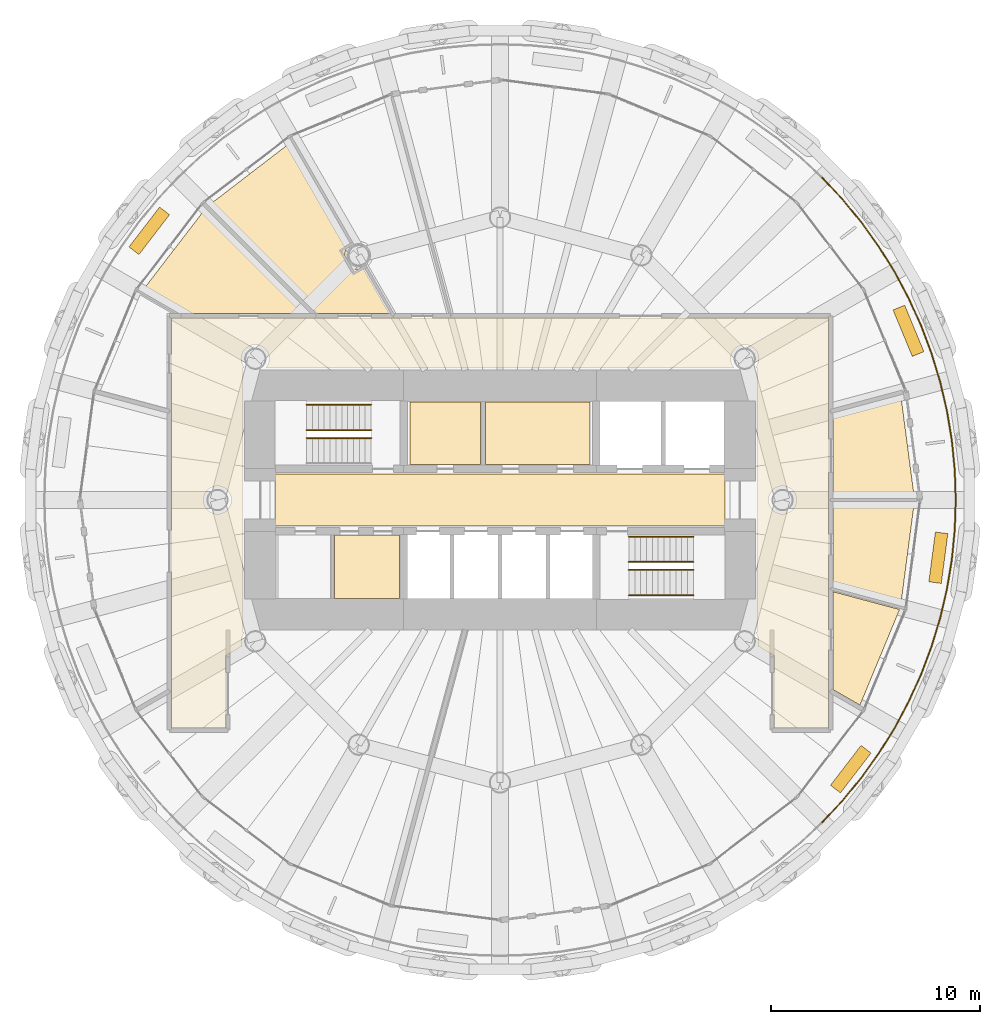
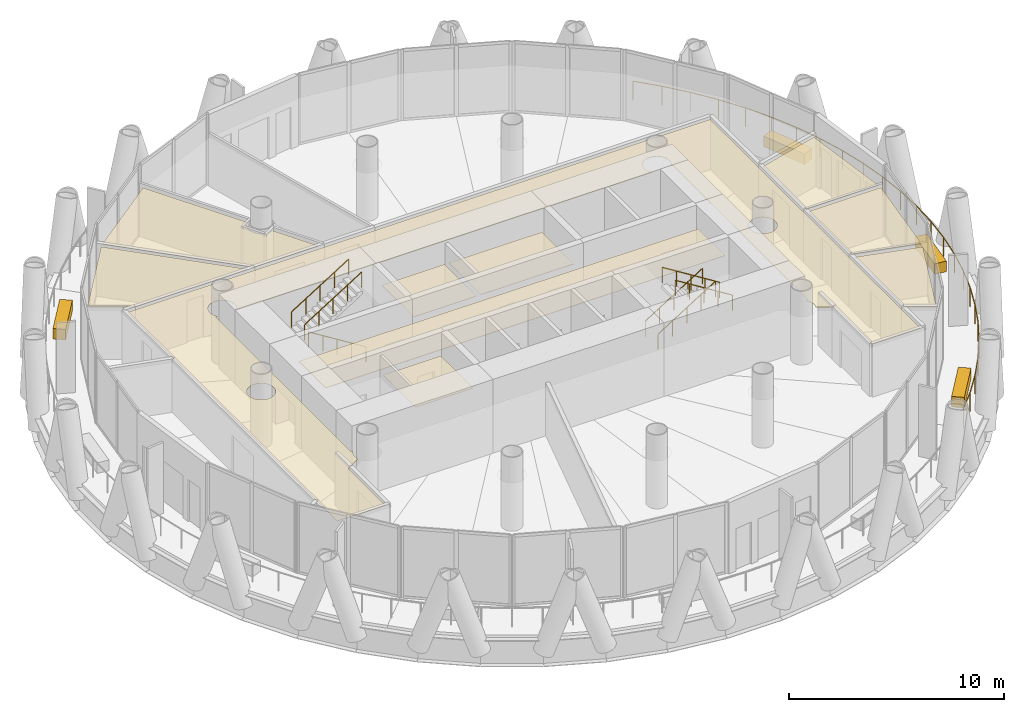
# One storey, part 14 of 15: 14 coverings, 8 railings.
"""IFC4 building model written with IfcOpenShell, lengths in metres."""

from ifc_helpers import new_model, si_unit, direction, frame, origin, origin_2d, place, context, subcontext, project, spatial, polyline, rectangle, circle, outline, extrude, material, layer, layer_set, type_object, element, save


model = new_model("IFC4")

# Units and contexts
model_context = context("Model", 3, precision=1e-05, world=origin(), true_north=direction((0.0, 1.0)))
body_context = subcontext(model_context, "Body", "Model", "MODEL_VIEW")
ifc_project = project(units=[si_unit("LENGTHUNIT", "METRE"), si_unit("AREAUNIT", "SQUARE_METRE"), si_unit("VOLUMEUNIT", "CUBIC_METRE"), si_unit("PLANEANGLEUNIT", "RADIAN"), si_unit("MASSUNIT", "GRAM", prefix="KILO")], contexts=[model_context])

# Site, building, storey
site_placement = place(None, origin())
site = spatial("IfcSite", under=ifc_project, at=site_placement, CompositionType="ELEMENT")
building_placement = place(site_placement, origin())
building = spatial("IfcBuilding", under=site, at=building_placement, Name="Qaws Media Tower", CompositionType="ELEMENT")
storey_placement = place(building_placement, frame((0.0, 0.0, 231.800048828125)))
storey = spatial("IfcBuildingStorey", under=building, at=storey_placement, Name="L53", CompositionType="ELEMENT", Elevation=231.800048828125)

# Covering
ifc_material_1 = material(Name="40 perforated acoustic panels with mineral wool backing, suspended", Category="mineral fibre")
ifc_layer_1 = layer(ifc_material_1, 0.0400390625)
ifc_layer_set_1 = layer_set([ifc_layer_1], Name="Acoustic panel ceiling 40")
covering_type_1 = type_object("IfcCoveringType", Name="Acoustic panel ceiling 40", PredefinedType="CEILING", material=ifc_layer_set_1)
covering_1_placement = place(storey_placement, frame((0.0, 0.0, 2.849853515625)))
element("IfcCovering", 1, at=covering_1_placement, inside=storey, type_object=covering_type_1, Name="CL3 ceiling L53-12 Meeting room", PredefinedType="CEILING", context=body_context, shape_type="SweptSolid", body=[
    extrude(outline(polyline([(79.14990234375, 44.985107421875), (75.91259765625, 45.852783203125), (75.91259765625, 49.887451171875), (79.79541015625, 49.887451171875), (79.14990234375, 44.985107421875)])), origin(), (0.0, 0.0, 1.0), 0.0400390625),
])

# Railing
ifc_material_2 = material(Name="Stainless steel and glass guard", Category="steel")
railing_type_1 = type_object("IfcRailingType", Name="Balcony guard 1100", PredefinedType="GUARDRAIL", material=ifc_material_2)
railing_1_placement = place(storey_placement, frame((75.397216796875, 34.602783203125, 0.0)))
element("IfcRailing", 2, at=railing_1_placement, inside=storey, type_object=railing_type_1, Name="GR1 balcony guard L53-4", PredefinedType="GUARDRAIL", context=body_context, shape_type="SweptSolid", body=[
    extrude(circle(Radius=0.02392578125, at=origin_2d()), frame((0.0, 0.0, 1.076171875), z_axis=(0.683599109941, 0.729857696328, 0.0), x_axis=(-0.729857696328, 0.683599109941, 0.0)), (0.0, 0.0, 1.0), 1.425048828125),
    extrude(circle(Radius=0.02392578125, at=origin_2d()), frame((0.97412109375, 1.0400390625, 1.076171875), z_axis=(0.63448726708, 0.772933314015, 0.0), x_axis=(-0.772933314015, 0.63448726708, 0.0)), (0.0, 0.0, 1.0), 1.4248046875),
    extrude(circle(Radius=0.02392578125, at=origin_2d()), frame((1.878173828125, 2.141357421875, 1.076171875), z_axis=(0.582420824871, 0.812887435477, 0.0), x_axis=(-0.812887435477, 0.582420824871, 0.0)), (0.0, 0.0, 1.0), 1.4248046875),
    extrude(circle(Radius=0.02392578125, at=origin_2d()), frame((2.7080078125, 3.299560546875, 1.076171875), z_axis=(0.528010933541, 0.849237572214, 0.0), x_axis=(-0.849237572214, 0.528010933541, 0.0)), (0.0, 0.0, 1.0), 1.425048828125),
    extrude(circle(Radius=0.02392578125, at=origin_2d()), frame((3.46044921875, 4.509765625, 1.076171875), z_axis=(0.471379569038, 0.881930440508, 0.0), x_axis=(-0.881930440508, 0.471379569038, 0.0)), (0.0, 0.0, 1.0), 1.4248046875),
    extrude(circle(Radius=0.02392578125, at=origin_2d()), frame((4.132080078125, 5.766357421875, 1.076171875), z_axis=(0.412757030526, 0.910841168235, 0.0), x_axis=(-0.910841168235, 0.412757030526, 0.0)), (0.0, 0.0, 1.0), 1.4248046875),
    extrude(circle(Radius=0.02392578125, at=origin_2d()), frame((4.72021484375, 7.064208984375, 1.076171875), z_axis=(0.352230899257, 0.935913133581, 0.0), x_axis=(-0.935913133581, 0.352230899257, 0.0)), (0.0, 0.0, 1.0), 1.425048828125),
    extrude(circle(Radius=0.02392578125, at=origin_2d()), frame((5.22216796875, 8.39794921875, 1.076171875), z_axis=(0.290254672577, 0.956949437038, 0.0), x_axis=(-0.956949437038, 0.290254672577, 0.0)), (0.0, 0.0, 1.0), 1.4248046875),
    extrude(circle(Radius=0.02392578125, at=origin_2d()), frame((5.6357421875, 9.761474609375, 1.076171875), z_axis=(0.227186285888, 0.973851318993, 0.0), x_axis=(-0.973851318993, 0.227186285888, 0.0)), (0.0, 0.0, 1.0), 1.425048828125),
    extrude(circle(Radius=0.02392578125, at=origin_2d()), frame((5.95947265625, 11.149169921875, 1.076171875), z_axis=(0.162787106047, 0.986661217493, 0.0), x_axis=(-0.986661217493, 0.162787106047, 0.0)), (0.0, 0.0, 1.0), 1.4248046875),
    extrude(circle(Radius=0.02392578125, at=origin_2d()), frame((6.19140625, 12.554931640625, 1.076171875), z_axis=(0.097993969509, 0.995187008526, 0.0), x_axis=(-0.995187008526, 0.097993969509, 0.0)), (0.0, 0.0, 1.0), 1.425048828125),
    extrude(circle(Radius=0.02392578125, at=origin_2d()), frame((6.3310546875, 13.97314453125, 1.076171875), z_axis=(0.032727187644, 0.999464322119, 0.0), x_axis=(-0.999464322119, 0.032727187644, 0.0)), (0.0, 0.0, 1.0), 1.4248046875),
    extrude(circle(Radius=0.02392578125, at=origin_2d()), frame((6.377685546875, 15.397216796875, 1.076171875), z_axis=(-0.032727187644, 0.999464322119, 0.0), x_axis=(-0.999464322119, -0.032727187644, 0.0)), (0.0, 0.0, 1.0), 1.4248046875),
    extrude(circle(Radius=0.02392578125, at=origin_2d()), frame((6.3310546875, 16.8212890625, 1.076171875), z_axis=(-0.097993969509, 0.995187008526, 0.0), x_axis=(-0.995187008526, -0.097993969509, 0.0)), (0.0, 0.0, 1.0), 1.425048828125),
    extrude(circle(Radius=0.02392578125, at=origin_2d()), frame((6.19140625, 18.239501953125, 1.076171875), z_axis=(-0.162787106047, 0.986661217493, 0.0), x_axis=(-0.986661217493, -0.162787106047, 0.0)), (0.0, 0.0, 1.0), 1.4248046875),
    extrude(circle(Radius=0.02392578125, at=origin_2d()), frame((5.95947265625, 19.645263671875, 1.076171875), z_axis=(-0.227186285888, 0.973851318993, 0.0), x_axis=(-0.973851318993, -0.227186285888, 0.0)), (0.0, 0.0, 1.0), 1.425048828125),
    extrude(circle(Radius=0.02392578125, at=origin_2d()), frame((5.6357421875, 21.032958984375, 1.076171875), z_axis=(-0.290254672577, 0.956949437038, 0.0), x_axis=(-0.956949437038, -0.290254672577, 0.0)), (0.0, 0.0, 1.0), 1.4248046875),
    extrude(circle(Radius=0.02392578125, at=origin_2d()), frame((5.22216796875, 22.396484375, 1.076171875), z_axis=(-0.352230899257, 0.935913133581, 0.0), x_axis=(-0.935913133581, -0.352230899257, 0.0)), (0.0, 0.0, 1.0), 1.425048828125),
    extrude(circle(Radius=0.02392578125, at=origin_2d()), frame((4.72021484375, 23.730224609375, 1.076171875), z_axis=(-0.412757030526, 0.910841168235, 0.0), x_axis=(-0.910841168235, -0.412757030526, 0.0)), (0.0, 0.0, 1.0), 1.4248046875),
    extrude(circle(Radius=0.02392578125, at=origin_2d()), frame((4.132080078125, 25.028076171875, 1.076171875), z_axis=(-0.471379569038, 0.881930440508, 0.0), x_axis=(-0.881930440508, -0.471379569038, 0.0)), (0.0, 0.0, 1.0), 1.4248046875),
    extrude(circle(Radius=0.02392578125, at=origin_2d()), frame((3.46044921875, 26.28466796875, 1.076171875), z_axis=(-0.528010933541, 0.849237572214, 0.0), x_axis=(-0.849237572214, -0.528010933541, 0.0)), (0.0, 0.0, 1.0), 1.425048828125),
    extrude(circle(Radius=0.02392578125, at=origin_2d()), frame((2.7080078125, 27.494873046875, 1.076171875), z_axis=(-0.582420824871, 0.812887435477, 0.0), x_axis=(-0.812887435477, -0.582420824871, 0.0)), (0.0, 0.0, 1.0), 1.4248046875),
    extrude(circle(Radius=0.02392578125, at=origin_2d()), frame((1.878173828125, 28.653076171875, 1.076171875), z_axis=(-0.63448726708, 0.772933314015, 0.0), x_axis=(-0.772933314015, -0.63448726708, 0.0)), (0.0, 0.0, 1.0), 1.4248046875),
    extrude(circle(Radius=0.02392578125, at=origin_2d()), frame((0.97412109375, 29.75439453125, 1.076171875), z_axis=(-0.683599109941, 0.729857696328, 0.0), x_axis=(-0.729857696328, -0.683599109941, 0.0)), (0.0, 0.0, 1.0), 1.425048828125),
    extrude(circle(Radius=0.02099609375, at=origin_2d()), origin(), (0.0, 0.0, 1.0), 1.052001953125),
    extrude(circle(Radius=0.02099609375, at=origin_2d()), frame((0.97412109375, 1.0400390625, 0.0)), (0.0, 0.0, 1.0), 1.052001953125),
    extrude(circle(Radius=0.02099609375, at=origin_2d()), frame((1.878173828125, 2.141357421875, 0.0)), (0.0, 0.0, 1.0), 1.052001953125),
    extrude(circle(Radius=0.02099609375, at=origin_2d()), frame((2.7080078125, 3.299560546875, 0.0)), (0.0, 0.0, 1.0), 1.052001953125),
    extrude(circle(Radius=0.02099609375, at=origin_2d()), frame((3.46044921875, 4.509765625, 0.0)), (0.0, 0.0, 1.0), 1.052001953125),
    extrude(circle(Radius=0.02099609375, at=origin_2d()), frame((4.132080078125, 5.766357421875, 0.0)), (0.0, 0.0, 1.0), 1.052001953125),
    extrude(circle(Radius=0.02099609375, at=origin_2d()), frame((4.72021484375, 7.064208984375, 0.0)), (0.0, 0.0, 1.0), 1.052001953125),
    extrude(circle(Radius=0.02099609375, at=origin_2d()), frame((5.22216796875, 8.39794921875, 0.0)), (0.0, 0.0, 1.0), 1.052001953125),
    extrude(circle(Radius=0.02099609375, at=origin_2d()), frame((5.6357421875, 9.761474609375, 0.0)), (0.0, 0.0, 1.0), 1.052001953125),
    extrude(circle(Radius=0.02099609375, at=origin_2d()), frame((5.95947265625, 11.149169921875, 0.0)), (0.0, 0.0, 1.0), 1.052001953125),
    extrude(circle(Radius=0.02099609375, at=origin_2d()), frame((6.19140625, 12.554931640625, 0.0)), (0.0, 0.0, 1.0), 1.052001953125),
    extrude(circle(Radius=0.02099609375, at=origin_2d()), frame((6.3310546875, 13.97314453125, 0.0)), (0.0, 0.0, 1.0), 1.052001953125),
    extrude(circle(Radius=0.02099609375, at=origin_2d()), frame((6.377685546875, 15.397216796875, 0.0)), (0.0, 0.0, 1.0), 1.052001953125),
    extrude(circle(Radius=0.02099609375, at=origin_2d()), frame((6.3310546875, 16.8212890625, 0.0)), (0.0, 0.0, 1.0), 1.052001953125),
    extrude(circle(Radius=0.02099609375, at=origin_2d()), frame((6.19140625, 18.239501953125, 0.0)), (0.0, 0.0, 1.0), 1.052001953125),
    extrude(circle(Radius=0.02099609375, at=origin_2d()), frame((5.95947265625, 19.645263671875, 0.0)), (0.0, 0.0, 1.0), 1.052001953125),
    extrude(circle(Radius=0.02099609375, at=origin_2d()), frame((5.6357421875, 21.032958984375, 0.0)), (0.0, 0.0, 1.0), 1.052001953125),
    extrude(circle(Radius=0.02099609375, at=origin_2d()), frame((5.22216796875, 22.396484375, 0.0)), (0.0, 0.0, 1.0), 1.052001953125),
    extrude(circle(Radius=0.02099609375, at=origin_2d()), frame((4.72021484375, 23.730224609375, 0.0)), (0.0, 0.0, 1.0), 1.052001953125),
    extrude(circle(Radius=0.02099609375, at=origin_2d()), frame((4.132080078125, 25.028076171875, 0.0)), (0.0, 0.0, 1.0), 1.052001953125),
    extrude(circle(Radius=0.02099609375, at=origin_2d()), frame((3.46044921875, 26.28466796875, 0.0)), (0.0, 0.0, 1.0), 1.052001953125),
    extrude(circle(Radius=0.02099609375, at=origin_2d()), frame((2.7080078125, 27.494873046875, 0.0)), (0.0, 0.0, 1.0), 1.052001953125),
    extrude(circle(Radius=0.02099609375, at=origin_2d()), frame((1.878173828125, 28.653076171875, 0.0)), (0.0, 0.0, 1.0), 1.052001953125),
    extrude(circle(Radius=0.02099609375, at=origin_2d()), frame((0.97412109375, 29.75439453125, 0.0)), (0.0, 0.0, 1.0), 1.052001953125),
    extrude(circle(Radius=0.02099609375, at=origin_2d()), frame((0.0, 30.79443359375, 0.0)), (0.0, 0.0, 1.0), 1.052001953125),
])

# Coverings
ifc_material_3 = material(Name="600 x 600 mineral fibre tiles in exposed grid, suspended", Category="mineral fibre")
ifc_layer_2 = layer(ifc_material_3, 0.02001953125)
ifc_layer_set_2 = layer_set([ifc_layer_2], Name="Mineral fibre tile ceiling 20")
covering_type_2 = type_object("IfcCoveringType", Name="Mineral fibre tile ceiling 20", PredefinedType="CEILING", material=ifc_layer_set_2)
covering_2_placement = place(storey_placement, frame((0.0, 0.0, 2.849853515625)))
element("IfcCovering", 3, at=covering_2_placement, inside=storey, type_object=covering_type_2, Name="CL1 ceiling L53-C07 Ladies toilets", PredefinedType="CEILING", context=body_context, shape_type="SweptSolid", body=[
    extrude(outline(polyline([(55.695068359375, 51.695068359375), (55.695068359375, 54.679931640625), (59.075439453125, 54.679931640625), (59.075439453125, 51.695068359375), (55.695068359375, 51.695068359375)])), origin(), (0.0, 0.0, 1.0), 0.02001953125),
])
covering_3_placement = place(storey_placement, frame((0.0, 0.0, 2.849853515625)))
element("IfcCovering", 4, at=covering_3_placement, inside=storey, type_object=covering_type_2, Name="CL1 ceiling L53-C08 Gents toilets", PredefinedType="CEILING", context=body_context, shape_type="SweptSolid", body=[
    extrude(outline(polyline([(59.3154296875, 51.695068359375), (59.3154296875, 54.679931640625), (64.304931640625, 54.679931640625), (64.304931640625, 51.695068359375), (59.3154296875, 51.695068359375)])), origin(), (0.0, 0.0, 1.0), 0.02001953125),
])
covering_4_placement = place(storey_placement, frame((0.0, 0.0, 2.849853515625)))
element("IfcCovering", 5, at=covering_4_placement, inside=storey, type_object=covering_type_2, Name="CL1 ceiling L53-01 Corridor", PredefinedType="CEILING", context=body_context, shape_type="SweptSolid", body=[
    extrude(outline(polyline([(44.3125, 39.112548828125), (44.3125, 58.6875), (75.6875, 58.6875), (75.6875, 39.112548828125), (73.112548828125, 39.112548828125), (73.112548828125, 42.559326171875), (72.31689453125, 43.018798828125), (72.336669921875, 43.0771484375), (72.353515625, 43.162841796875), (72.359375, 43.25), (72.353515625, 43.337158203125), (72.336669921875, 43.4228515625), (72.30859375, 43.505615234375), (72.269775390625, 43.583984375), (72.22119140625, 43.65673828125), (72.1943359375, 43.6875), (72.3125, 43.6875), (72.3125, 56.3125), (72.1943359375, 56.3125), (72.22119140625, 56.34326171875), (72.269775390625, 56.416015625), (72.30859375, 56.494384765625), (72.336669921875, 56.5771484375), (72.353515625, 56.662841796875), (72.359375, 56.75), (72.353515625, 56.837158203125), (72.336669921875, 56.9228515625), (72.30859375, 57.005615234375), (72.269775390625, 57.083984375), (72.22119140625, 57.15673828125), (72.163818359375, 57.222412109375), (72.097900390625, 57.280029296875), (72.025390625, 57.32861328125), (71.947021484375, 57.3671875), (71.8642578125, 57.395263671875), (71.778564453125, 57.412353515625), (71.69140625, 57.41796875), (71.604248046875, 57.412353515625), (71.5185546875, 57.395263671875), (71.435791015625, 57.3671875), (71.357421875, 57.32861328125), (71.28466796875, 57.280029296875), (71.218994140625, 57.222412109375), (71.161376953125, 57.15673828125), (71.11279296875, 57.083984375), (71.07421875, 57.005615234375), (71.046142578125, 56.9228515625), (71.029052734375, 56.837158203125), (71.023193359375, 56.75), (71.029052734375, 56.662841796875), (71.046142578125, 56.5771484375), (71.07421875, 56.494384765625), (71.11279296875, 56.416015625), (71.161376953125, 56.34326171875), (71.1884765625, 56.3125), (48.8115234375, 56.3125), (48.838623046875, 56.34326171875), (48.88720703125, 56.416015625), (48.92578125, 56.494384765625), (48.953857421875, 56.5771484375), (48.970947265625, 56.662841796875), (48.976806640625, 56.75), (48.970947265625, 56.837158203125), (48.953857421875, 56.9228515625), (48.92578125, 57.005615234375), (48.88720703125, 57.083984375), (48.838623046875, 57.15673828125), (48.781005859375, 57.222412109375), (48.71533203125, 57.280029296875), (48.642578125, 57.32861328125), (48.564208984375, 57.3671875), (48.4814453125, 57.395263671875), (48.395751953125, 57.412353515625), (48.30859375, 57.41796875), (48.221435546875, 57.412353515625), (48.1357421875, 57.395263671875), (48.052978515625, 57.3671875), (47.974609375, 57.32861328125), (47.902099609375, 57.280029296875), (47.836181640625, 57.222412109375), (47.77880859375, 57.15673828125), (47.730224609375, 57.083984375), (47.69140625, 57.005615234375), (47.663330078125, 56.9228515625), (47.646484375, 56.837158203125), (47.640625, 56.75), (47.646484375, 56.662841796875), (47.663330078125, 56.5771484375), (47.69140625, 56.494384765625), (47.730224609375, 56.416015625), (47.77880859375, 56.34326171875), (47.8056640625, 56.3125), (47.6875, 56.3125), (47.6875, 43.6875), (47.8056640625, 43.6875), (47.77880859375, 43.65673828125), (47.730224609375, 43.583984375), (47.69140625, 43.505615234375), (47.663330078125, 43.4228515625), (47.646484375, 43.337158203125), (47.640625, 43.25), (47.646484375, 43.162841796875), (47.663330078125, 43.0771484375), (47.68310546875, 43.018798828125), (46.887451171875, 42.559326171875), (46.887451171875, 39.112548828125), (44.3125, 39.112548828125)]), holes=[polyline([(47.1171875, 49.744384765625), (47.145263671875, 49.8271484375), (47.162353515625, 49.912841796875), (47.16796875, 50.0), (47.162353515625, 50.087158203125), (47.145263671875, 50.1728515625), (47.1171875, 50.255615234375), (47.07861328125, 50.333984375), (47.030029296875, 50.40673828125), (46.972412109375, 50.472412109375), (46.90673828125, 50.530029296875), (46.833984375, 50.57861328125), (46.755615234375, 50.6171875), (46.6728515625, 50.645263671875), (46.587158203125, 50.662353515625), (46.5, 50.66796875), (46.412841796875, 50.662353515625), (46.3271484375, 50.645263671875), (46.244384765625, 50.6171875), (46.166015625, 50.57861328125), (46.09326171875, 50.530029296875), (46.027587890625, 50.472412109375), (45.969970703125, 50.40673828125), (45.92138671875, 50.333984375), (45.8828125, 50.255615234375), (45.854736328125, 50.1728515625), (45.837646484375, 50.087158203125), (45.83203125, 50.0), (45.837646484375, 49.912841796875), (45.854736328125, 49.8271484375), (45.8828125, 49.744384765625), (45.92138671875, 49.666015625), (45.969970703125, 49.59326171875), (46.027587890625, 49.527587890625), (46.09326171875, 49.469970703125), (46.166015625, 49.42138671875), (46.244384765625, 49.3828125), (46.3271484375, 49.354736328125), (46.412841796875, 49.337646484375), (46.5, 49.33203125), (46.587158203125, 49.337646484375), (46.6728515625, 49.354736328125), (46.755615234375, 49.3828125), (46.833984375, 49.42138671875), (46.90673828125, 49.469970703125), (46.972412109375, 49.527587890625), (47.030029296875, 49.59326171875), (47.07861328125, 49.666015625), (47.1171875, 49.744384765625)]), polyline([(74.145263671875, 49.8271484375), (74.162353515625, 49.912841796875), (74.16796875, 50.0), (74.162353515625, 50.087158203125), (74.145263671875, 50.1728515625), (74.1171875, 50.255615234375), (74.07861328125, 50.333984375), (74.030029296875, 50.40673828125), (73.972412109375, 50.472412109375), (73.90673828125, 50.530029296875), (73.833984375, 50.57861328125), (73.755615234375, 50.6171875), (73.6728515625, 50.645263671875), (73.587158203125, 50.662353515625), (73.5, 50.66796875), (73.412841796875, 50.662353515625), (73.3271484375, 50.645263671875), (73.244384765625, 50.6171875), (73.166015625, 50.57861328125), (73.09326171875, 50.530029296875), (73.027587890625, 50.472412109375), (72.969970703125, 50.40673828125), (72.92138671875, 50.333984375), (72.8828125, 50.255615234375), (72.854736328125, 50.1728515625), (72.837646484375, 50.087158203125), (72.83203125, 50.0), (72.837646484375, 49.912841796875), (72.854736328125, 49.8271484375), (72.8828125, 49.744384765625), (72.92138671875, 49.666015625), (72.969970703125, 49.59326171875), (73.027587890625, 49.527587890625), (73.09326171875, 49.469970703125), (73.166015625, 49.42138671875), (73.244384765625, 49.3828125), (73.3271484375, 49.354736328125), (73.412841796875, 49.337646484375), (73.5, 49.33203125), (73.587158203125, 49.337646484375), (73.6728515625, 49.354736328125), (73.755615234375, 49.3828125), (73.833984375, 49.42138671875), (73.90673828125, 49.469970703125), (73.972412109375, 49.527587890625), (74.030029296875, 49.59326171875), (74.07861328125, 49.666015625), (74.1171875, 49.744384765625), (74.145263671875, 49.8271484375)])]), origin(), (0.0, 0.0, 1.0), 0.02001953125),
])
covering_5_placement = place(storey_placement, frame((0.0, 0.0, 2.849853515625)))
element("IfcCovering", 6, at=covering_5_placement, inside=storey, type_object=covering_type_2, Name="CL1 ceiling L53-06 Office", PredefinedType="CEILING", context=body_context, shape_type="SweptSolid", body=[
    extrude(outline(polyline([(45.923095703125, 63.91796875), (50.928466796875, 58.91259765625), (44.7880859375, 58.91259765625), (42.912841796875, 59.9951171875), (45.923095703125, 63.91796875)])), origin(), (0.0, 0.0, 1.0), 0.02001953125),
])
covering_6_placement = place(storey_placement, frame((0.0, 0.0, 2.849853515625)))
element("IfcCovering", 7, at=covering_6_placement, inside=storey, type_object=covering_type_2, Name="CL1 ceiling L53-11 Tenant office", PredefinedType="CEILING", context=body_context, shape_type="SweptSolid", body=[
    extrude(outline(polyline([(77.19970703125, 40.19970703125), (75.91259765625, 40.94287109375), (75.91259765625, 45.619873046875), (79.091796875, 44.767822265625), (77.19970703125, 40.19970703125)])), origin(), (0.0, 0.0, 1.0), 0.02001953125),
])
covering_7_placement = place(storey_placement, frame((0.0, 0.0, 2.849853515625)))
element("IfcCovering", 8, at=covering_7_placement, inside=storey, type_object=covering_type_2, Name="CL1 ceiling L53-C05 Shower room", PredefinedType="CEILING", context=body_context, shape_type="SweptSolid", body=[
    extrude(outline(polyline([(52.10009765625, 45.300048828125), (52.10009765625, 48.324951171875), (55.199951171875, 48.324951171875), (55.199951171875, 45.300048828125), (52.10009765625, 45.300048828125)])), origin(), (0.0, 0.0, 1.0), 0.02001953125),
])
ifc_material_4 = material(Name="Precast concrete planter with trailing planting", Category="concrete")
ifc_layer_3 = layer(ifc_material_4, 0.60009765625)
ifc_layer_set_3 = layer_set([ifc_layer_3], Name="Planter 2400x600")
covering_type_3 = type_object("IfcCoveringType", Name="Planter 2400x600", PredefinedType="USERDEFINED", material=ifc_layer_set_3)
for number, where, z_axis, x_axis, name in (
    (9, (79.516845703125, 58.084228515625, 0.0), (0.0, 0.0, 1.0), (-0.382683432365, 0.923879532511, 0.0), "PL1 balcony planter L53-01"),
    (10, (43.240478515625, 62.860107421875, 0.0), (0.0, 0.0, 1.0), (-0.608761429009, -0.793353340291, 0.0), "PL1 balcony planter L53-05"),
    (11, (76.759521484375, 37.139892578125, 0.0), (0.0, 0.0, 1.0), (0.608761429009, 0.793353340291, 0.0), "PL1 balcony planter L53-11"),
    (12, (80.9443359375, 47.24267578125, 0.0), (0.0, 0.0, 1.0), (0.13052619222, 0.991444861374, 0.0), "PL1 balcony planter L53-12"),
):
    element("IfcCovering", number, at=place(storey_placement, frame(where, z_axis=z_axis, x_axis=x_axis)), inside=storey, type_object=covering_type_3, Name=name, ObjectType="PLANTER", PredefinedType="USERDEFINED", context=body_context, shape_type="SweptSolid", body=[
        extrude(rectangle(XDim=2.39990234375, YDim=0.60009765625, at=origin_2d()), origin(), (0.0, 0.0, 1.0), 0.60009765625),
    ])
ifc_material_5 = material(Name="Two layers 12.5 moisture-resistant plasterboard on suspended metal furring", Category="gypsum")
ifc_layer_4 = layer(ifc_material_5, 0.02490234375)
ifc_layer_set_4 = layer_set([ifc_layer_4], Name="Plasterboard ceiling 25")
covering_type_4 = type_object("IfcCoveringType", Name="Plasterboard ceiling 25", PredefinedType="CEILING", material=ifc_layer_set_4)
covering_8_placement = place(storey_placement, frame((0.0, 0.0, 2.849853515625)))
element("IfcCovering", 13, at=covering_8_placement, inside=storey, type_object=covering_type_4, Name="CL2 ceiling L53-C01 Lift lobby", PredefinedType="CEILING", context=body_context, shape_type="SweptSolid", body=[
    extrude(outline(polyline([(49.25, 48.75), (49.25, 51.25), (70.75, 51.25), (70.75, 48.75), (49.25, 48.75)])), origin(), (0.0, 0.0, 1.0), 0.025146484375),
])
covering_9_placement = place(storey_placement, frame((0.0, 0.0, 2.849853515625)))
element("IfcCovering", 14, at=covering_9_placement, inside=storey, type_object=covering_type_4, Name="CL2 ceiling L53-02 Tenant reception", PredefinedType="CEILING", context=body_context, shape_type="SweptSolid", body=[
    extrude(outline(polyline([(79.79541015625, 50.112548828125), (75.91259765625, 50.112548828125), (75.91259765625, 54.147216796875), (79.14990234375, 55.014892578125), (79.79541015625, 50.112548828125)])), origin(), (0.0, 0.0, 1.0), 0.025146484375),
])
covering_10_placement = place(storey_placement, frame((0.0, 0.0, 2.849853515625)))
element("IfcCovering", 15, at=covering_10_placement, inside=storey, type_object=covering_type_4, Name="CL2 ceiling L53-05 Tenant reception", PredefinedType="CEILING", context=body_context, shape_type="SweptSolid", body=[
    extrude(outline(polyline([(50.0048828125, 67.087158203125), (52.823974609375, 62.204345703125), (52.777587890625, 62.163818359375), (52.719970703125, 62.097900390625), (52.67138671875, 62.025390625), (52.6328125, 61.947021484375), (52.604736328125, 61.8642578125), (52.587646484375, 61.778564453125), (52.58203125, 61.69140625), (52.587646484375, 61.604248046875), (52.604736328125, 61.5185546875), (52.6328125, 61.435791015625), (52.67138671875, 61.357421875), (52.719970703125, 61.28466796875), (52.777587890625, 61.218994140625), (52.84326171875, 61.161376953125), (52.916015625, 61.11279296875), (52.994384765625, 61.07421875), (53.0771484375, 61.046142578125), (53.162841796875, 61.029052734375), (53.25, 61.023193359375), (53.337158203125, 61.029052734375), (53.4228515625, 61.046142578125), (53.481201171875, 61.06591796875), (54.724609375, 58.91259765625), (51.24658203125, 58.91259765625), (46.08203125, 64.076904296875), (50.0048828125, 67.087158203125)])), origin(), (0.0, 0.0, 1.0), 0.025146484375),
])

# Railings
ifc_material_6 = material(Name="Steel tube handrail", Category="steel")
railing_type_2 = type_object("IfcRailingType", Name="Stair handrail 900", PredefinedType="HANDRAIL", material=ifc_material_6)
railing_2_placement = place(storey_placement, frame((53.840087890625, 52.9599609375, 0.175048828125)))
element("IfcRailing", 16, at=railing_2_placement, inside=storey, type_object=railing_type_2, Name="HR1 handrail S1 flight 1 L53", PredefinedType="HANDRAIL", context=body_context, shape_type="SweptSolid", body=[
    extrude(circle(Radius=0.02392578125, at=origin_2d()), frame((0.0, 0.0, 0.8759765625), z_axis=(-0.848028513186, 0.0, 0.529950602248), x_axis=(0.0, -1.0, 0.0)), (0.0, 0.0, 1.0), 3.632080078125),
    extrude(circle(Radius=0.02099609375, at=origin_2d()), origin(), (0.0, 0.0, 1.0), 0.851806640625),
    extrude(circle(Radius=0.02099609375, at=origin_2d()), frame((-0.77001953125, 0.0, 0.481201171875)), (0.0, 0.0, 1.0), 0.851806640625),
    extrude(circle(Radius=0.02099609375, at=origin_2d()), frame((-1.5400390625, 0.0, 0.96240234375)), (0.0, 0.0, 1.0), 0.851806640625),
    extrude(circle(Radius=0.02099609375, at=origin_2d()), frame((-2.31005859375, 0.0, 1.443603515625)), (0.0, 0.0, 1.0), 0.851806640625),
    extrude(circle(Radius=0.02099609375, at=origin_2d()), frame((-3.080078125, 0.0, 1.9248046875)), (0.0, 0.0, 1.0), 0.851806640625),
])
for number, where, name in (
    (17, (50.760009765625, 54.550048828125, 2.27490234375), "HR1 handrail S1 flight 2 L53"),
    (18, (50.760009765625, 53.340087890625, 2.27490234375), "HR1 handrail S1 flight 2 L53"),
):
    element("IfcRailing", number, at=place(storey_placement, frame(where)), inside=storey, type_object=railing_type_2, Name=name, PredefinedType="HANDRAIL", context=body_context, shape_type="SweptSolid", body=[
        extrude(circle(Radius=0.02392578125, at=origin_2d()), frame((0.0, 0.0, 0.8759765625), z_axis=(0.847998304005, 0.0, 0.529998940003), x_axis=(0.0, 1.0, 0.0)), (0.0, 0.0, 1.0), 3.632080078125),
        extrude(circle(Radius=0.02099609375, at=origin_2d()), origin(), (0.0, 0.0, 1.0), 0.851806640625),
        extrude(circle(Radius=0.02099609375, at=origin_2d()), frame((0.77001953125, 0.0, 0.481201171875)), (0.0, 0.0, 1.0), 0.851806640625),
        extrude(circle(Radius=0.02099609375, at=origin_2d()), frame((1.5400390625, 0.0, 0.96240234375)), (0.0, 0.0, 1.0), 0.851806640625),
        extrude(circle(Radius=0.02099609375, at=origin_2d()), frame((2.31005859375, 0.0, 1.44384765625)), (0.0, 0.0, 1.0), 0.851806640625),
        extrude(circle(Radius=0.02099609375, at=origin_2d()), frame((3.080078125, 0.0, 1.925048828125)), (0.0, 0.0, 1.0), 0.851806640625),
    ])
for number, where, name in (
    (19, (66.159912109375, 48.25, 0.175048828125), "HR1 handrail S2 flight 1 L53"),
    (20, (66.159912109375, 47.0400390625, 0.175048828125), "HR1 handrail S2 flight 1 L53"),
):
    element("IfcRailing", number, at=place(storey_placement, frame(where)), inside=storey, type_object=railing_type_2, Name=name, PredefinedType="HANDRAIL", context=body_context, shape_type="SweptSolid", body=[
        extrude(circle(Radius=0.02392578125, at=origin_2d()), frame((0.0, 0.0, 0.8759765625), z_axis=(0.848028513186, 0.0, 0.529950602248), x_axis=(0.0, 1.0, 0.0)), (0.0, 0.0, 1.0), 3.632080078125),
        extrude(circle(Radius=0.02099609375, at=origin_2d()), origin(), (0.0, 0.0, 1.0), 0.851806640625),
        extrude(circle(Radius=0.02099609375, at=origin_2d()), frame((0.77001953125, 0.0, 0.481201171875)), (0.0, 0.0, 1.0), 0.851806640625),
        extrude(circle(Radius=0.02099609375, at=origin_2d()), frame((1.5400390625, 0.0, 0.96240234375)), (0.0, 0.0, 1.0), 0.851806640625),
        extrude(circle(Radius=0.02099609375, at=origin_2d()), frame((2.31005859375, 0.0, 1.443603515625)), (0.0, 0.0, 1.0), 0.851806640625),
        extrude(circle(Radius=0.02099609375, at=origin_2d()), frame((3.080078125, 0.0, 1.9248046875)), (0.0, 0.0, 1.0), 0.851806640625),
    ])
for number, where, name in (
    (21, (69.239990234375, 45.449951171875, 2.27490234375), "HR1 handrail S2 flight 2 L53"),
    (22, (69.239990234375, 46.659912109375, 2.27490234375), "HR1 handrail S2 flight 2 L53"),
):
    element("IfcRailing", number, at=place(storey_placement, frame(where)), inside=storey, type_object=railing_type_2, Name=name, PredefinedType="HANDRAIL", context=body_context, shape_type="SweptSolid", body=[
        extrude(circle(Radius=0.02392578125, at=origin_2d()), frame((0.0, 0.0, 0.8759765625), z_axis=(-0.847998304005, 0.0, 0.529998940003), x_axis=(0.0, -1.0, 0.0)), (0.0, 0.0, 1.0), 3.632080078125),
        extrude(circle(Radius=0.02099609375, at=origin_2d()), origin(), (0.0, 0.0, 1.0), 0.851806640625),
        extrude(circle(Radius=0.02099609375, at=origin_2d()), frame((-0.77001953125, 0.0, 0.481201171875)), (0.0, 0.0, 1.0), 0.851806640625),
        extrude(circle(Radius=0.02099609375, at=origin_2d()), frame((-1.5400390625, 0.0, 0.96240234375)), (0.0, 0.0, 1.0), 0.851806640625),
        extrude(circle(Radius=0.02099609375, at=origin_2d()), frame((-2.31005859375, 0.0, 1.44384765625)), (0.0, 0.0, 1.0), 0.851806640625),
        extrude(circle(Radius=0.02099609375, at=origin_2d()), frame((-3.080078125, 0.0, 1.925048828125)), (0.0, 0.0, 1.0), 0.851806640625),
    ])

save(model, "model.ifc")
